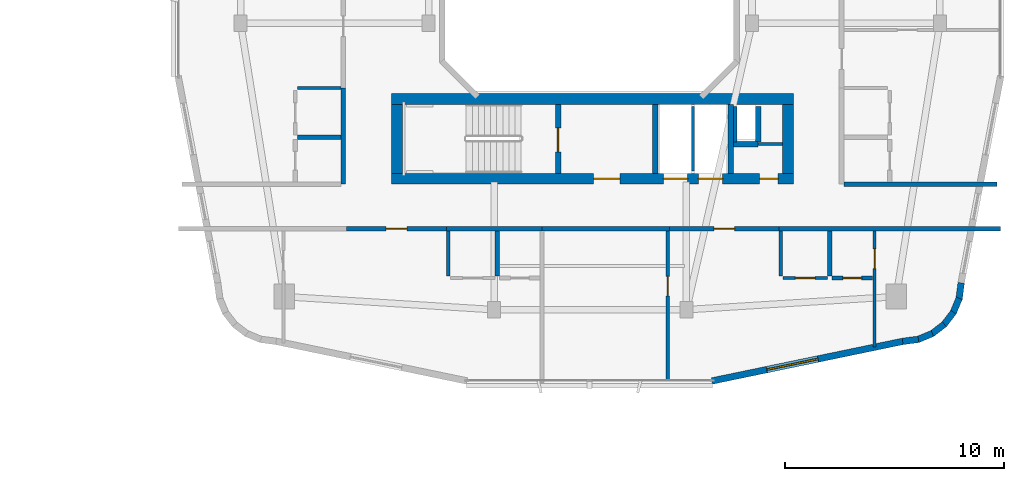
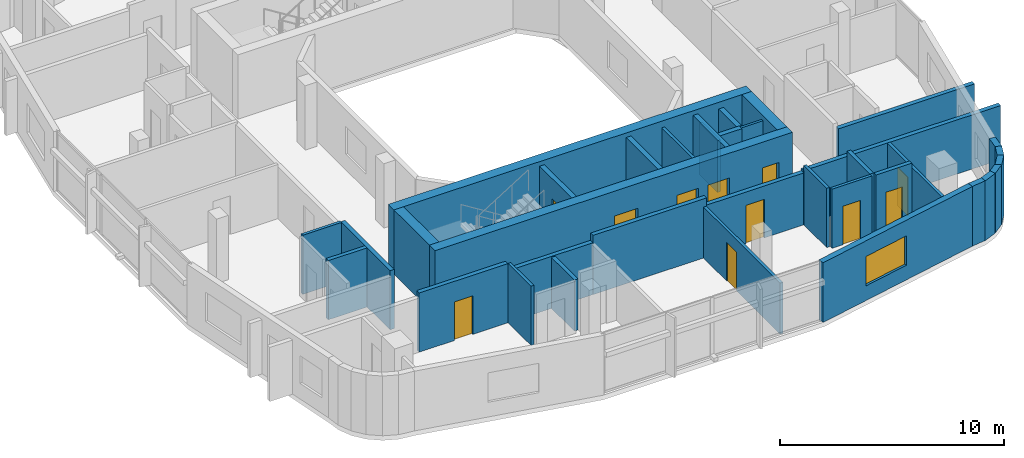
# One storey, part 18 of 27: 36 walls, 11 doors, 1 window, 12 openings.
"""IFC4 building model written with IfcOpenShell, lengths in metres."""

import ifcopenshell
import ifcopenshell.guid

model = None  # the IFC model being written
_history = None  # IfcOwnerHistory: only IFC2X3 demands one
_inside = {}  # id of a spatial element -> (the spatial element, [elements in it])
_under = {}  # id of a project, library or spatial element -> (it, [spatial elements below it])
_declared = {}  # id of a project -> (the project, [libraries it declares])
_typed = {}  # id of a type object -> (the type object, [elements of that type])
_made_of = {}  # id of a material, layer set ... -> (it, [elements and type objects made of it])


def new_model(schema):
    """Start an empty IFC model of exactly this schema.

    Asked for "IFC4X3", IfcOpenShell would pick the latest addendum, in which some entities
    have other attributes; the version numbers below select the first issue.
    IFC2X3 requires an IfcOwnerHistory on every rooted entity: one is made here for all.
    """
    global model, _history
    if schema == "IFC4X3":
        model = ifcopenshell.file(schema_version=(4, 3, 0, 0))
    else:
        model = ifcopenshell.file(schema=schema)
    _inside.clear()
    _under.clear()
    _declared.clear()
    _typed.clear()
    _made_of.clear()
    _history = None
    if model.schema == "IFC2X3":
        org = make("IfcOrganization", Name="unknown")
        user = make(
            "IfcPersonAndOrganization",
            ThePerson=make("IfcPerson", FamilyName="unknown"),
            TheOrganization=org,
        )
        app = make(
            "IfcApplication",
            ApplicationDeveloper=org,
            Version="unknown",
            ApplicationFullName="unknown",
            ApplicationIdentifier="unknown",
        )
        _history = make(
            "IfcOwnerHistory",
            OwningUser=user,
            OwningApplication=app,
            ChangeAction="ADDED",
            CreationDate=0,
        )
    return model


def make(cls, **values):
    """One entity of the class cls with the attributes given. An attribute that is None is left unset."""
    return model.create_entity(
        cls, **{name: value for name, value in values.items() if value is not None}
    )


def rooted(cls, **values):
    """An entity with a GlobalId (a new one), such as an element, a storey or a relation."""
    return make(cls, GlobalId=ifcopenshell.guid.new(), OwnerHistory=_history, **values)


def si_unit(unit_type, name, prefix=None):
    """IfcSIUnit, for example si_unit("LENGTHUNIT", "METRE", prefix="MILLI")."""
    return make("IfcSIUnit", UnitType=unit_type, Prefix=prefix, Name=name)


def derived_unit(unit_type, elements):
    """IfcDerivedUnit: a product of units, each with its exponent."""
    return make(
        "IfcDerivedUnit",
        Elements=[
            make("IfcDerivedUnitElement", Unit=unit, Exponent=power)
            for unit, power in elements
        ],
        UnitType=unit_type,
    )


def assignment(units):
    """IfcUnitAssignment: the units of a project."""
    return None if units is None else make("IfcUnitAssignment", Units=units)


def point(xyz):
    """IfcCartesianPoint."""
    return None if xyz is None else make("IfcCartesianPoint", Coordinates=xyz)


def direction(xyz):
    """IfcDirection."""
    return None if xyz is None else make("IfcDirection", DirectionRatios=xyz)


def frame(location, z_axis=None, x_axis=None):
    """IfcAxis2Placement3D, a coordinate frame: its origin and axes. An axis left out is left unset."""
    return make(
        "IfcAxis2Placement3D",
        Location=point(location),
        Axis=direction(z_axis),
        RefDirection=direction(x_axis),
    )


def frame_2d(location, x_axis=None):
    """IfcAxis2Placement2D, a coordinate frame in the plane: its origin and x axis."""
    return make(
        "IfcAxis2Placement2D", Location=point(location), RefDirection=direction(x_axis)
    )


def origin():
    """The frame at (0, 0, 0) with its axes left unset."""
    return frame((0.0, 0.0, 0.0))


def place(relative_to, where):
    """IfcLocalPlacement: puts the frame where relative to a parent placement (None: the world)."""
    return make(
        "IfcLocalPlacement", PlacementRelTo=relative_to, RelativePlacement=where
    )


def context(
    kind, dimensions, precision=None, world=None, true_north=None, identifier=None
):
    """IfcGeometricRepresentationContext, for example the 3D "Model" context."""
    return make(
        "IfcGeometricRepresentationContext",
        ContextIdentifier=identifier,
        ContextType=kind,
        CoordinateSpaceDimension=dimensions,
        Precision=precision,
        WorldCoordinateSystem=world,
        TrueNorth=true_north,
    )


def subcontext(parent, identifier, kind, view, scale=None):
    """IfcGeometricRepresentationSubContext, for example "Body" below "Model"."""
    return make(
        "IfcGeometricRepresentationSubContext",
        ContextIdentifier=identifier,
        ContextType=kind,
        ParentContext=parent,
        TargetScale=scale,
        TargetView=view,
    )


def project(units=None, contexts=None):
    """IfcProject with its units and contexts."""
    return rooted(
        "IfcProject",
        Name="project",
        RepresentationContexts=contexts,
        UnitsInContext=assignment(units),
    )


def spatial(cls, under=None, at=None, **own):
    """A site, building, storey or space (cls), placed at a placement, below another one or the project."""
    s = rooted(cls, ObjectPlacement=at, **own)
    if under is not None:
        _under.setdefault(under.id(), (under, []))[1].append(s)
    return s


def profile(cls, at=None, kind="AREA", **sizes):
    """A parametric profile (cls). Its sizes go by their IFC names, for example OverallWidth=200.0."""
    return make(cls, ProfileType=kind, Position=at, **sizes)


def rectangle(**sizes):
    """IfcRectangleProfileDef."""
    return profile("IfcRectangleProfileDef", **sizes)


def extrude(swept, where, along, depth):
    """IfcExtrudedAreaSolid: the profile swept, set in the frame where, extruded along a direction by depth."""
    return make(
        "IfcExtrudedAreaSolid",
        SweptArea=swept,
        Position=where,
        ExtrudedDirection=direction(along),
        Depth=depth,
    )


def shape(context_of_items, identifier, shape_type, items):
    """IfcShapeRepresentation: the items that make up one representation, for example the "Body"."""
    return make(
        "IfcShapeRepresentation",
        ContextOfItems=context_of_items,
        RepresentationIdentifier=identifier,
        RepresentationType=shape_type,
        Items=items,
    )


def material(Name=None, Category=None):
    """IfcMaterial."""
    return make("IfcMaterial", Name=Name, Category=Category)


def layer(
    of_material, thickness, ventilated=None, Name=None, Category=None, Priority=None
):
    """IfcMaterialLayer: one layer of a wall or slab, of a material (None: an air gap)."""
    return make(
        "IfcMaterialLayer",
        Material=of_material,
        LayerThickness=thickness,
        IsVentilated=ventilated,
        Name=Name,
        Category=Category,
        Priority=Priority,
    )


def layer_set(layers, Name=None):
    """IfcMaterialLayerSet."""
    return make("IfcMaterialLayerSet", MaterialLayers=layers, LayerSetName=Name)


def made_of(thing, what):
    """Note that an element or type object is made of a material, layer set ...; save() writes the relation."""
    if what is not None:
        _made_of.setdefault(what.id(), (what, []))[1].append(thing)
    return thing


def type_object(cls, material=None, **own):
    """A type object (cls), such as IfcWallType, which elements share."""
    return made_of(rooted(cls, **own), material)


def element(
    cls,
    number,
    at=None,
    inside=None,
    cuts=None,
    type_object=None,
    material=None,
    context=None,
    identifier="Body",
    shape_type=None,
    held_by="IfcProductDefinitionShape",
    body=None,
    shapes=None,
    **own,
):
    """One element of the class cls, such as IfcWall. Its Tag is "e" and its number.

    at: its placement. inside: the storey or other place that contains it. cuts: it is an
    opening in that element (IfcRelVoidsElement). A single representation is given by context,
    identifier, shape_type and body (its items); several are given by shapes. held_by: the class
    of the entity that holds the representations. save() writes the other relations.
    """
    e = rooted(cls, Tag="e%d" % number, ObjectPlacement=at, **own)
    if body is not None:
        shapes = [shape(context, identifier, shape_type, body)]
    if shapes is not None:
        e.Representation = make(held_by, Representations=shapes)
    if inside is not None:
        _inside.setdefault(inside.id(), (inside, []))[1].append(e)
    if cuts is not None:
        rooted(
            "IfcRelVoidsElement", RelatingBuildingElement=cuts, RelatedOpeningElement=e
        )
    if type_object is not None:
        _typed.setdefault(type_object.id(), (type_object, []))[1].append(e)
    return made_of(e, material)


def fill(opening, filler):
    """IfcRelFillsElement: the door or window that sits in an opening."""
    return rooted(
        "IfcRelFillsElement",
        RelatingOpeningElement=opening,
        RelatedBuildingElement=filler,
    )


def aggregate(whole, parts):
    """IfcRelAggregates: a whole, such as a stair, and the parts it consists of."""
    return rooted("IfcRelAggregates", RelatingObject=whole, RelatedObjects=parts)


def save(model, path):
    """Write the relations noted so far, then the file.

    IfcRelAggregates (storeys below a building ...), IfcRelContainedInSpatialStructure (elements
    in a storey), IfcRelDefinesByType, IfcRelAssociatesMaterial and IfcRelDeclares: one each for
    every whole, place, type object, material and project.
    """
    for whole, parts in _under.values():
        aggregate(whole, parts)
    for where, things in _inside.values():
        rooted(
            "IfcRelContainedInSpatialStructure",
            RelatedElements=things,
            RelatingStructure=where,
        )
    for kind, things in _typed.values():
        rooted("IfcRelDefinesByType", RelatedObjects=things, RelatingType=kind)
    for what, things in _made_of.values():
        rooted("IfcRelAssociatesMaterial", RelatedObjects=things, RelatingMaterial=what)
    for by, libraries in _declared.values():
        rooted("IfcRelDeclares", RelatingContext=by, RelatedDefinitions=libraries)
    model.write(path)


model = new_model("IFC4")

# Units and contexts
model_context = context("Model", 3, precision=1e-05, world=origin(), true_north=direction((0.0, 1.0)))
body_context = subcontext(model_context, "Body", "Model", "MODEL_VIEW")
ifc_project = project(units=[si_unit("LENGTHUNIT", "METRE"), si_unit("AREAUNIT", "SQUARE_METRE"), si_unit("VOLUMEUNIT", "CUBIC_METRE"), si_unit("PLANEANGLEUNIT", "RADIAN"), si_unit("MASSUNIT", "GRAM", prefix="KILO"), derived_unit("THERMALTRANSMITTANCEUNIT", [(si_unit("POWERUNIT", "WATT"), 1), (si_unit("LENGTHUNIT", "METRE"), -2), (si_unit("THERMODYNAMICTEMPERATUREUNIT", "KELVIN"), -1)])], contexts=[model_context])

# Site, building, storey
site_placement = place(None, origin())
site = spatial("IfcSite", under=ifc_project, at=site_placement, CompositionType="ELEMENT")
building_placement = place(site_placement, origin())
building = spatial("IfcBuilding", under=site, at=building_placement, Name="Kivonza Crest Hotel", CompositionType="ELEMENT")
storey_placement = place(building_placement, frame((0.0, 0.0, 76.5)))
storey = spatial("IfcBuildingStorey", under=building, at=storey_placement, Name="L20", CompositionType="ELEMENT", Elevation=76.5)

# Wall
ifc_material_1 = material(Name="Autoclaved aerated concrete blockwork", Category="masonry")
ifc_layer_1 = layer(ifc_material_1, 0.219970703125)
ifc_layer_set_1 = layer_set([ifc_layer_1], Name="Autoclaved aerated concrete blockwork")
wall_type_1 = type_object("IfcWallType", Name="WL-ACOU-220", PredefinedType="SOLIDWALL", material=ifc_layer_set_1)
wall_1_placement = place(storey_placement, frame((70.419921875, 12.10009765625, 0.0), z_axis=(0.0, 0.0, 1.0), x_axis=(1.0, 0.0, 0.0)))
element("IfcWall", 1, at=wall_1_placement, inside=storey, type_object=wall_type_1, Name="L20 interior partition WA-L20-A04-RCORR", PredefinedType="SOLIDWALL", context=body_context, shape_type="SweptSolid", body=[
    extrude(rectangle(XDim=4.380126953125, YDim=0.219970703125, at=frame_2d((2.18994140625, 0.0))), origin(), (0.0, 0.0, 1.0), 2.824951171875),
])

# Wall, opening, door
wall_2_placement = place(storey_placement, frame((65.85009765625, 12.10009765625, 0.0), z_axis=(0.0, 0.0, 1.0), x_axis=(1.0, 0.0, 0.0)))
wall_2 = element("IfcWall", 2, at=wall_2_placement, inside=storey, type_object=wall_type_1, Name="L20 interior partition WA-L20-A04-MCORR", PredefinedType="SOLIDWALL", context=body_context, shape_type="SweptSolid", body=[
    extrude(rectangle(XDim=4.56982421875, YDim=0.219970703125, at=frame_2d((2.284912109375, 0.0))), origin(), (0.0, 0.0, 1.0), 3.219970703125),
])
opening_1_placement = place(wall_2_placement, frame((1.81005859375, 0.0, 0.0)))
opening_1 = element("IfcOpeningElement", 3, at=opening_1_placement, cuts=wall_2, Name="Opening DU-60", PredefinedType="OPENING", context=body_context, shape_type="SweptSolid", body=[
    extrude(rectangle(XDim=0.949951171875, YDim=2.10009765625, at=frame_2d((0.47509765625, 1.050048828125))), frame((0.0, 0.1201171875, 0.0), z_axis=(0.0, -1.0, 0.0), x_axis=(1.0, 0.0, 0.0)), (0.0, 0.0, 1.0), 0.239990234375),
])
ifc_material_2 = material(Name="Hardwood timber oak", Category="wood")
door_type_1 = type_object("IfcDoorType", Name="DR-UNIT-950", OperationType="NOTDEFINED", PredefinedType="DOOR", material=ifc_material_2)
door_1_placement = place(opening_1_placement, frame((0.949951171875, 0.0, 0.0), z_axis=(0.0, 0.0, 1.0), x_axis=(-1.0, 0.0, 0.0)))
door_1 = element("IfcDoor", 4, at=door_1_placement, inside=storey, type_object=door_type_1, Name="L20 A04 apartment entrance fire door", OperationType="SINGLE_SWING_RIGHT", OverallHeight=2.10009765625, OverallWidth=0.949951171875, PredefinedType="DOOR", context=body_context, shape_type="SweptSolid", body=[
    extrude(rectangle(XDim=0.949951171875, YDim=2.10009765625, at=frame_2d((0.47509765625, 1.050048828125))), frame((0.0, 0.02490234375, 0.0), z_axis=(0.0, -1.0, 0.0), x_axis=(1.0, 0.0, 0.0)), (0.0, 0.0, 1.0), 0.050048828125),
])
fill(opening_1, door_1)

# Walls
wall_3_placement = place(storey_placement, frame((74.800048828125, 12.10009765625, 0.0), z_axis=(0.0, 0.0, 1.0), x_axis=(1.0, 0.0, 0.0)))
element("IfcWall", 5, at=wall_3_placement, inside=storey, type_object=wall_type_1, Name="L20 interior partition WA-L20-A05-LCORR", PredefinedType="SOLIDWALL", context=body_context, shape_type="SweptSolid", body=[
    extrude(rectangle(XDim=5.829833984375, YDim=0.219970703125, at=frame_2d((2.9150390625, 0.0))), origin(), (0.0, 0.0, 1.0), 3.219970703125),
])
wall_4_placement = place(storey_placement, frame((85.6298828125, 12.10009765625, 0.0), z_axis=(0.0, 0.0, 1.0), x_axis=(1.0, 0.0, 0.0)))
element("IfcWall", 6, at=wall_4_placement, inside=storey, type_object=wall_type_1, Name="L20 interior partition WA-L20-A05-RCORR", PredefinedType="SOLIDWALL", context=body_context, shape_type="SweptSolid", body=[
    extrude(rectangle(XDim=10.130126953125, YDim=0.219970703125, at=frame_2d((5.06494140625, 0.0))), origin(), (0.0, 0.0, 1.0), 2.945068359375),
])

# Wall, opening, door
wall_5_placement = place(storey_placement, frame((80.6298828125, 12.10009765625, 0.0), z_axis=(0.0, 0.0, 1.0), x_axis=(1.0, 0.0, 0.0)))
wall_5 = element("IfcWall", 7, at=wall_5_placement, inside=storey, type_object=wall_type_1, Name="L20 interior partition WA-L20-A05-MCORR", PredefinedType="SOLIDWALL", context=body_context, shape_type="SweptSolid", body=[
    extrude(rectangle(XDim=5.0, YDim=0.219970703125, at=frame_2d((2.5, 0.0))), origin(), (0.0, 0.0, 1.0), 2.824951171875),
])
opening_2_placement = place(wall_5_placement, frame((2.02490234375, 0.0, 0.0)))
opening_2 = element("IfcOpeningElement", 8, at=opening_2_placement, cuts=wall_5, Name="Opening DU-60", PredefinedType="OPENING", context=body_context, shape_type="SweptSolid", body=[
    extrude(rectangle(XDim=0.949951171875, YDim=2.10009765625, at=frame_2d((0.47509765625, 1.050048828125))), frame((0.0, 0.1201171875, 0.0), z_axis=(0.0, -1.0, 0.0), x_axis=(1.0, 0.0, 0.0)), (0.0, 0.0, 1.0), 0.239990234375),
])
door_2_placement = place(opening_2_placement, frame((0.949951171875, 0.0, 0.0), z_axis=(0.0, 0.0, 1.0), x_axis=(-1.0, 0.0, 0.0)))
door_2 = element("IfcDoor", 9, at=door_2_placement, inside=storey, type_object=door_type_1, Name="L20 A05 apartment entrance fire door", OperationType="SINGLE_SWING_LEFT", OverallHeight=2.10009765625, OverallWidth=0.949951171875, PredefinedType="DOOR", context=body_context, shape_type="SweptSolid", body=[
    extrude(rectangle(XDim=0.949951171875, YDim=2.10009765625, at=frame_2d((0.47509765625, 1.050048828125))), frame((0.0, 0.02490234375, 0.0), z_axis=(0.0, -1.0, 0.0), x_axis=(1.0, 0.0, 0.0)), (0.0, 0.0, 1.0), 0.050048828125),
])
fill(opening_2, door_2)

# Walls
wall_6_placement = place(storey_placement, frame((65.699951171875, 14.139892578125, 0.0), z_axis=(0.0, 0.0, 1.0), x_axis=(0.0, 1.0, 0.0)))
element("IfcWall", 10, at=wall_6_placement, inside=storey, type_object=wall_type_1, Name="L20 interior partition WA-L20-A06-BCORR", PredefinedType="SOLIDWALL", context=body_context, shape_type="SweptSolid", body=[
    extrude(rectangle(XDim=4.400146484375, YDim=0.219970703125, at=frame_2d((2.2001953125, 0.0))), origin(), (0.0, 0.0, 1.0), 3.219970703125),
])
wall_7_placement = place(storey_placement, frame((88.60009765625, 14.139892578125, 0.0), z_axis=(0.0, 0.0, 1.0), x_axis=(1.0, 0.0, 0.0)))
element("IfcWall", 11, at=wall_7_placement, inside=storey, type_object=wall_type_1, Name="L20 interior partition WA-L20-T2E-ENDS", PredefinedType="SOLIDWALL", context=body_context, shape_type="SweptSolid", body=[
    extrude(rectangle(XDim=7.0, YDim=0.219970703125, at=frame_2d((3.5, 0.0))), origin(), (0.0, 0.0, 1.0), 2.945068359375),
])

# Wall, openings, doors
ifc_material_3 = material(Name="Concrete C60/75", Category="concrete")
ifc_layer_2 = layer(ifc_material_3, 0.5)
ifc_layer_set_2 = layer_set([ifc_layer_2], Name="Concrete C60/75")
wall_type_2 = type_object("IfcWallType", Name="WL-CORE-500", PredefinedType="SHEAR", material=ifc_layer_set_2)
wall_8_placement = place(storey_placement, frame((67.89990234375, 14.389892578125, 0.0), z_axis=(0.0, 0.0, 1.0), x_axis=(1.0, 0.0, 0.0)))
wall_8 = element("IfcWall", 12, at=wall_8_placement, inside=storey, type_object=wall_type_2, Name="Core wall T2-S South L20", PredefinedType="SHEAR", context=body_context, shape_type="SweptSolid", body=[
    extrude(rectangle(XDim=18.400146484375, YDim=0.5, at=frame_2d((9.2001953125, 0.0))), origin(), (0.0, 0.0, 1.0), 3.5),
])
opening_3_placement = place(wall_8_placement, frame((9.25, 0.0, 0.0)))
opening_3 = element("IfcOpeningElement", 13, at=opening_3_placement, cuts=wall_8, Name="Opening DF-60", PredefinedType="OPENING", context=body_context, shape_type="SweptSolid", body=[
    extrude(rectangle(XDim=1.199951171875, YDim=2.14990234375, at=frame_2d((0.60009765625, 1.074951171875))), frame((0.0, 0.260009765625, 0.0), z_axis=(0.0, -1.0, 0.0), x_axis=(1.0, 0.0, 0.0)), (0.0, 0.0, 1.0), 0.52001953125),
])
opening_4_placement = place(wall_8_placement, frame((16.85009765625, 0.0, 0.0)))
opening_4 = element("IfcOpeningElement", 14, at=opening_4_placement, cuts=wall_8, Name="Opening DF-60R", PredefinedType="OPENING", context=body_context, shape_type="SweptSolid", body=[
    extrude(rectangle(XDim=0.85009765625, YDim=2.10009765625, at=frame_2d((0.425048828125, 1.050048828125))), frame((0.0, 0.260009765625, 0.0), z_axis=(0.0, -1.0, 0.0), x_axis=(1.0, 0.0, 0.0)), (0.0, 0.0, 1.0), 0.52001953125),
])
opening_5_placement = place(wall_8_placement, frame((12.449951171875, 0.0, 0.0)))
opening_5 = element("IfcOpeningElement", 15, at=opening_5_placement, cuts=wall_8, Name="Opening LD-120", PredefinedType="OPENING", context=body_context, shape_type="SweptSolid", body=[
    extrude(rectangle(XDim=1.10009765625, YDim=2.14990234375, at=frame_2d((0.550048828125, 1.074951171875))), frame((0.0, 0.260009765625, 0.0), z_axis=(0.0, -1.0, 0.0), x_axis=(1.0, 0.0, 0.0)), (0.0, 0.0, 1.0), 0.52001953125),
])
opening_6_placement = place(wall_8_placement, frame((14.050048828125, 0.0, 0.0)))
opening_6 = element("IfcOpeningElement", 16, at=opening_6_placement, cuts=wall_8, Name="Opening LD-120", PredefinedType="OPENING", context=body_context, shape_type="SweptSolid", body=[
    extrude(rectangle(XDim=1.10009765625, YDim=2.14990234375, at=frame_2d((0.550048828125, 1.074951171875))), frame((0.0, 0.260009765625, 0.0), z_axis=(0.0, -1.0, 0.0), x_axis=(1.0, 0.0, 0.0)), (0.0, 0.0, 1.0), 0.52001953125),
])
door_type_2 = type_object("IfcDoorType", Name="DR-FD60-1200", OperationType="NOTDEFINED", PredefinedType="DOOR", material=ifc_material_2)
door_3_placement = place(opening_3_placement, frame((1.199951171875, 0.0, 0.0), z_axis=(0.0, 0.0, 1.0), x_axis=(-1.0, 0.0, 0.0)))
door_3 = element("IfcDoor", 17, at=door_3_placement, inside=storey, type_object=door_type_2, Name="L20 T2-S firefighting lobby fire door", OperationType="SINGLE_SWING_LEFT", OverallHeight=2.14990234375, OverallWidth=1.199951171875, PredefinedType="DOOR", context=body_context, shape_type="SweptSolid", body=[
    extrude(rectangle(XDim=1.199951171875, YDim=2.14990234375, at=frame_2d((0.60009765625, 1.074951171875))), frame((0.0, 0.02490234375, 0.0), z_axis=(0.0, -1.0, 0.0), x_axis=(1.0, 0.0, 0.0)), (0.0, 0.0, 1.0), 0.050048828125),
])
fill(opening_3, door_3)
door_type_3 = type_object("IfcDoorType", Name="DR-FD60-850", OperationType="NOTDEFINED", PredefinedType="DOOR", material=ifc_material_2)
door_4_placement = place(opening_4_placement, frame((0.85009765625, 0.0, 0.0), z_axis=(0.0, 0.0, 1.0), x_axis=(-1.0, 0.0, 0.0)))
door_4 = element("IfcDoor", 18, at=door_4_placement, inside=storey, type_object=door_type_3, Name="L20 T2-S core room door", OperationType="SINGLE_SWING_RIGHT", OverallHeight=2.10009765625, OverallWidth=0.85009765625, PredefinedType="DOOR", context=body_context, shape_type="SweptSolid", body=[
    extrude(rectangle(XDim=0.85009765625, YDim=2.10009765625, at=frame_2d((0.425048828125, 1.050048828125))), frame((0.0, 0.02490234375, 0.0), z_axis=(0.0, -1.0, 0.0), x_axis=(1.0, 0.0, 0.0)), (0.0, 0.0, 1.0), 0.050048828125),
])
fill(opening_4, door_4)
ifc_material_4 = material(Name="Stainless steel", Category="steel")
door_type_4 = type_object("IfcDoorType", Name="DR-LD120-1100", OperationType="NOTDEFINED", PredefinedType="DOOR", material=ifc_material_4)
door_5_placement = place(opening_5_placement, frame((1.10009765625, 0.0, 0.0), z_axis=(0.0, 0.0, 1.0), x_axis=(-1.0, 0.0, 0.0)))
door_5 = element("IfcDoor", 19, at=door_5_placement, inside=storey, type_object=door_type_4, Name="L20 PL-T2-1 passenger lift sliding landing door", OperationType="DOUBLE_DOOR_SLIDING", OverallHeight=2.14990234375, OverallWidth=1.10009765625, PredefinedType="DOOR", context=body_context, shape_type="SweptSolid", body=[
    extrude(rectangle(XDim=1.10009765625, YDim=2.14990234375, at=frame_2d((0.550048828125, 1.074951171875))), frame((0.0, 0.02490234375, 0.0), z_axis=(0.0, -1.0, 0.0), x_axis=(1.0, 0.0, 0.0)), (0.0, 0.0, 1.0), 0.050048828125),
])
fill(opening_5, door_5)
door_6_placement = place(opening_6_placement, frame((1.10009765625, 0.0, 0.0), z_axis=(0.0, 0.0, 1.0), x_axis=(-1.0, 0.0, 0.0)))
door_6 = element("IfcDoor", 20, at=door_6_placement, inside=storey, type_object=door_type_4, Name="L20 PL-T2-2 passenger lift sliding landing door", OperationType="DOUBLE_DOOR_SLIDING", OverallHeight=2.14990234375, OverallWidth=1.10009765625, PredefinedType="DOOR", context=body_context, shape_type="SweptSolid", body=[
    extrude(rectangle(XDim=1.10009765625, YDim=2.14990234375, at=frame_2d((0.550048828125, 1.074951171875))), frame((0.0, 0.02490234375, 0.0), z_axis=(0.0, -1.0, 0.0), x_axis=(1.0, 0.0, 0.0)), (0.0, 0.0, 1.0), 0.050048828125),
])
fill(opening_6, door_6)

# Walls
wall_9_placement = place(storey_placement, frame((67.89990234375, 18.050048828125, 0.0), z_axis=(0.0, 0.0, 1.0), x_axis=(1.0, 0.0, 0.0)))
element("IfcWall", 21, at=wall_9_placement, inside=storey, type_object=wall_type_2, Name="Core wall T2-S North L20", PredefinedType="SHEAR", context=body_context, shape_type="SweptSolid", body=[
    extrude(rectangle(XDim=18.400146484375, YDim=0.5, at=frame_2d((9.2001953125, 0.0))), origin(), (0.0, 0.0, 1.0), 3.5),
])
for number, where, z_axis, x_axis, name in (
    (22, (68.14990234375, 14.639892578125, 0.0), (0.0, 0.0, 1.0), (0.0, 1.0, 0.0), "Core wall T2-S West L20"),
    (23, (86.050048828125, 14.639892578125, 0.0), (0.0, 0.0, 1.0), (0.0, 1.0, 0.0), "Core wall T2-S East L20"),
):
    element("IfcWall", number, at=place(storey_placement, frame(where, z_axis=z_axis, x_axis=x_axis)), inside=storey, type_object=wall_type_2, Name=name, PredefinedType="SHEAR", context=body_context, shape_type="SweptSolid", body=[
        extrude(rectangle(XDim=3.16015625, YDim=0.5, at=frame_2d((1.580078125, 0.0))), origin(), (0.0, 0.0, 1.0), 3.5),
    ])

# Wall, opening, window
ifc_material_5 = material(Name="Precast concrete C40/50", Category="concrete")
ifc_layer_3 = layer(ifc_material_5, 0.300048828125)
ifc_layer_set_3 = layer_set([ifc_layer_3], Name="Precast concrete C40/50")
wall_type_3 = type_object("IfcWallType", Name="WL-EXT-300", PredefinedType="STANDARD", material=ifc_layer_set_3)
wall_10_placement = place(storey_placement, frame((82.56396484375, 5.135986328125, 0.0), z_axis=(0.0, 0.0, 1.0), x_axis=(0.979128391325, 0.203242695569, 0.0)))
wall_10 = element("IfcWall", 24, at=wall_10_placement, inside=storey, type_object=wall_type_3, Name="L20 T2 exterior insulated wall 9", PredefinedType="STANDARD", context=body_context, shape_type="SweptSolid", body=[
    extrude(rectangle(XDim=8.92041015625, YDim=0.300048828125, at=frame_2d((4.460205078125, 0.0))), origin(), (0.0, 0.0, 1.0), 3.25),
])
opening_7_placement = place(wall_10_placement, frame((2.56298828125, 0.0, 0.800048828125)))
opening_7 = element("IfcOpeningElement", 25, at=opening_7_placement, cuts=wall_10, Name="Opening WN-05", PredefinedType="OPENING", context=body_context, shape_type="SweptSolid", body=[
    extrude(rectangle(XDim=2.39990234375, YDim=1.60009765625, at=frame_2d((1.199951171875, 0.800048828125))), frame((0.0, 0.16015625, 0.0), z_axis=(0.0, -1.0, 0.0), x_axis=(1.0, 0.0, 0.0)), (0.0, 0.0, 1.0), 0.320068359375),
])
ifc_material_6 = material(Name="Thermally broken bronze aluminium and low-E double glazing", Category="aluminium")
window_type = type_object("IfcWindowType", Name="WN-240x160", PartitioningType="TRIPLE_PANEL_VERTICAL", PredefinedType="WINDOW", material=ifc_material_6)
window_placement = place(opening_7_placement, origin())
window = element("IfcWindow", 26, at=window_placement, inside=storey, type_object=window_type, Name="L20 T2 facade window 9", OverallHeight=1.60009765625, OverallWidth=2.39990234375, PartitioningType="SINGLE_PANEL", PredefinedType="WINDOW", context=body_context, shape_type="SweptSolid", body=[
    extrude(rectangle(XDim=2.39990234375, YDim=1.60009765625, at=frame_2d((1.199951171875, 0.800048828125))), frame((0.0, 0.030029296875, 0.0), z_axis=(0.0, -1.0, 0.0), x_axis=(1.0, 0.0, 0.0)), (0.0, 0.0, 1.0), 0.06005859375),
])
fill(opening_7, window)

# Walls
wall_11_placement = place(storey_placement, frame((91.29296875, 6.947998046875, 0.0), z_axis=(0.0, 0.0, 1.0), x_axis=(0.991486167159, 0.13021205909, 0.0)))
element("IfcWall", 27, at=wall_11_placement, inside=storey, type_object=wall_type_3, Name="L20 T2 exterior insulated wall 10", PredefinedType="STANDARD", context=body_context, shape_type="SweptSolid", body=[
    extrude(rectangle(XDim=0.729248046875, YDim=0.300048828125, at=frame_2d((0.36474609375, 0.0))), origin(), (0.0, 0.0, 1.0), 3.25),
])
for number, where, z_axis, x_axis, name in (
    (28, (91.965087890625, 7.02392578125, 0.0), (0.0, 0.0, 1.0), (0.923521684703, 0.383546213491, 0.0), "L20 T2 exterior insulated wall 11"),
    (29, (92.60888671875, 7.279052734375, 0.0), (0.0, 0.0, 1.0), (0.79363269798, 0.608397189915, 0.0), "L20 T2 exterior insulated wall 12"),
    (30, (93.166015625, 7.69091796875, 0.0), (0.0, 0.0, 1.0), (0.608603261071, 0.793474681772, 0.0), "L20 T2 exterior insulated wall 13"),
):
    element("IfcWall", number, at=place(storey_placement, frame(where, z_axis=z_axis, x_axis=x_axis)), inside=storey, type_object=wall_type_3, Name=name, PredefinedType="STANDARD", context=body_context, shape_type="SweptSolid", body=[
        extrude(rectangle(XDim=0.74609375, YDim=0.300048828125, at=frame_2d((0.373046875, 0.0))), origin(), (0.0, 0.0, 1.0), 3.25),
    ])
wall_12_placement = place(storey_placement, frame((93.595947265625, 8.23388671875, 0.0), z_axis=(0.0, 0.0, 1.0), x_axis=(0.383430326427, 0.923569805037, 0.0)))
element("IfcWall", 31, at=wall_12_placement, inside=storey, type_object=wall_type_3, Name="L20 T2 exterior insulated wall 14", PredefinedType="STANDARD", context=body_context, shape_type="SweptSolid", body=[
    extrude(rectangle(XDim=0.746337890625, YDim=0.300048828125, at=frame_2d((0.373046875, 0.0))), origin(), (0.0, 0.0, 1.0), 3.25),
])
wall_13_placement = place(storey_placement, frame((93.873046875, 8.868896484375, 0.0), z_axis=(0.0, 0.0, 1.0), x_axis=(0.129339184068, 0.991600411186, 0.0)))
element("IfcWall", 32, at=wall_13_placement, inside=storey, type_object=wall_type_3, Name="L20 T2 exterior insulated wall 15", PredefinedType="STANDARD", context=body_context, shape_type="SweptSolid", body=[
    extrude(rectangle(XDim=0.764404296875, YDim=0.300048828125, at=frame_2d((0.38232421875, 0.0))), origin(), (0.0, 0.0, 1.0), 3.25),
])
ifc_material_7 = material(Name="Concrete blockwork fire-compartment wall", Category="masonry")
ifc_layer_4 = layer(ifc_material_7, 0.25)
ifc_layer_set_4 = layer_set([ifc_layer_4], Name="Concrete blockwork fire-compartment wall")
wall_type_4 = type_object("IfcWallType", Name="WL-FIRE-250", PredefinedType="SOLIDWALL", material=ifc_layer_set_4)
wall_14_placement = place(storey_placement, frame((84.679931640625, 16.080078125, 0.0), z_axis=(0.0, 0.0, 1.0), x_axis=(0.0, 1.0, 0.0)))
element("IfcWall", 33, at=wall_14_placement, inside=storey, type_object=wall_type_4, Name="L20 interior partition WA-L20-T2-S-MEPR-E", PredefinedType="SOLIDWALL", context=body_context, shape_type="SweptSolid", body=[
    extrude(rectangle(XDim=1.619873046875, YDim=0.25, at=frame_2d((0.81005859375, 0.0))), origin(), (0.0, 0.0, 1.0), 3.219970703125),
])
wall_15_placement = place(storey_placement, frame((83.550048828125, 15.97998046875, 0.0), z_axis=(0.0, 0.0, 1.0), x_axis=(1.0, 0.0, 0.0)))
element("IfcWall", 34, at=wall_15_placement, inside=storey, type_object=wall_type_4, Name="L20 interior partition WA-L20-T2-S-MEPR-H", PredefinedType="SOLIDWALL", context=body_context, shape_type="SweptSolid", body=[
    extrude(rectangle(XDim=1.1298828125, YDim=0.25, at=frame_2d((0.56494140625, 0.0))), origin(), (0.0, 0.0, 1.0), 3.219970703125),
])
ifc_material_8 = material(Name="Metal-stud gypsum board partition", Category="gypsum")
ifc_layer_5 = layer(ifc_material_8, 0.125)
ifc_layer_set_5 = layer_set([ifc_layer_5], Name="Metal-stud gypsum board partition")
wall_type_5 = type_object("IfcWallType", Name="WL-PART-125", PredefinedType="PARTITIONING", material=ifc_layer_set_5)
wall_16_placement = place(storey_placement, frame((84.679931640625, 15.97998046875, 0.0), z_axis=(0.0, 0.0, 1.0), x_axis=(1.0, 0.0, 0.0)))
element("IfcWall", 35, at=wall_16_placement, inside=storey, type_object=wall_type_5, Name="L20 interior partition WP-L20-T2-S-T2H", PredefinedType="PARTITIONING", context=body_context, shape_type="SweptSolid", body=[
    extrude(rectangle(XDim=1.1201171875, YDim=0.125, at=frame_2d((0.56005859375, 0.0))), origin(), (0.0, 0.0, 1.0), 3.219970703125),
])
ifc_material_9 = material(Name="Twin-stud acoustic gypsum board partition", Category="gypsum")
ifc_layer_6 = layer(ifc_material_9, 0.14990234375)
ifc_layer_set_6 = layer_set([ifc_layer_6], Name="Twin-stud acoustic gypsum board partition")
wall_type_6 = type_object("IfcWallType", Name="WL-PART-150", PredefinedType="PARTITIONING", material=ifc_layer_set_6)
wall_17_placement = place(storey_placement, frame((83.6298828125, 16.080078125, 0.0), z_axis=(0.0, 0.0, 1.0), x_axis=(0.0, 1.0, 0.0)))
element("IfcWall", 36, at=wall_17_placement, inside=storey, type_object=wall_type_6, Name="L20 interior partition WA-L20-T2-S-MEPR-W", PredefinedType="PARTITIONING", context=body_context, shape_type="SweptSolid", body=[
    extrude(rectangle(XDim=1.619873046875, YDim=0.14990234375, at=frame_2d((0.81005859375, 0.0))), origin(), (0.0, 0.0, 1.0), 2.824951171875),
])
wall_18_placement = place(storey_placement, frame((81.699951171875, 14.739990234375, 0.0), z_axis=(0.0, 0.0, 1.0), x_axis=(0.0, 1.0, 0.0)))
element("IfcWall", 37, at=wall_18_placement, inside=storey, type_object=wall_type_6, Name="L20 interior partition WP-L20-T2-S-BSH-1", PredefinedType="PARTITIONING", context=body_context, shape_type="SweptSolid", body=[
    extrude(rectangle(XDim=2.9599609375, YDim=0.14990234375, at=frame_2d((1.47998046875, 0.0))), origin(), (0.0, 0.0, 1.0), 3.219970703125),
])
wall_19_placement = place(storey_placement, frame((70.5, 9.949951171875, 0.0), z_axis=(0.0, 0.0, 1.0), x_axis=(0.0, 1.0, 0.0)))
element("IfcWall", 38, at=wall_19_placement, inside=storey, type_object=wall_type_6, Name="L20 interior partition WP-L20-A04-KF", PredefinedType="PARTITIONING", context=body_context, shape_type="SweptSolid", body=[
    extrude(rectangle(XDim=2.050048828125, YDim=0.14990234375, at=frame_2d((1.02490234375, 0.0))), origin(), (0.0, 0.0, 1.0), 3.219970703125),
])

# Wall, opening, door
wall_20_placement = place(storey_placement, frame((80.550048828125, 5.159912109375, 0.0), z_axis=(0.0, 0.0, 1.0), x_axis=(0.0, 1.0, 0.0)))
wall_20 = element("IfcWall", 39, at=wall_20_placement, inside=storey, type_object=wall_type_6, Name="L20 interior partition WP-L20-A05-BDW1", PredefinedType="PARTITIONING", context=body_context, shape_type="SweptSolid", body=[
    extrude(rectangle(XDim=6.840087890625, YDim=0.14990234375, at=frame_2d((3.419921875, 0.0))), origin(), (0.0, 0.0, 1.0), 2.77490234375),
])
opening_8_placement = place(wall_20_placement, frame((3.8701171875, 0.0, 0.0)))
opening_8 = element("IfcOpeningElement", 40, at=opening_8_placement, cuts=wall_20, Name="Opening DI-90", PredefinedType="OPENING", context=body_context, shape_type="SweptSolid", body=[
    extrude(rectangle(XDim=0.89990234375, YDim=2.10009765625, at=frame_2d((0.449951171875, 1.050048828125))), frame((0.0, 0.0849609375, 0.0), z_axis=(0.0, -1.0, 0.0), x_axis=(1.0, 0.0, 0.0)), (0.0, 0.0, 1.0), 0.169921875),
])
door_type_5 = type_object("IfcDoorType", Name="DR-INT-900", OperationType="NOTDEFINED", PredefinedType="DOOR", material=ifc_material_2)
door_7_placement = place(opening_8_placement, origin())
door_7 = element("IfcDoor", 41, at=door_7_placement, inside=storey, type_object=door_type_5, Name="L20 A05 bedroom 1 door", OperationType="SINGLE_SWING_RIGHT", OverallHeight=2.10009765625, OverallWidth=0.89990234375, PredefinedType="DOOR", context=body_context, shape_type="SweptSolid", body=[
    extrude(rectangle(XDim=0.89990234375, YDim=2.10009765625, at=frame_2d((0.449951171875, 1.050048828125))), frame((0.0, 0.02490234375, 0.0), z_axis=(0.0, -1.0, 0.0), x_axis=(1.0, 0.0, 0.0)), (0.0, 0.0, 1.0), 0.050048828125),
])
fill(opening_8, door_7)

wall_21_placement = place(storey_placement, frame((90.010009765625, 6.68896484375, 0.0), z_axis=(0.0, 0.0, 1.0), x_axis=(0.0, 1.0, 0.0)))
wall_21 = element("IfcWall", 42, at=wall_21_placement, inside=storey, type_object=wall_type_6, Name="L20 interior partition WP-L20-A05-BDW2", PredefinedType="PARTITIONING", context=body_context, shape_type="SweptSolid", body=[
    extrude(rectangle(XDim=5.31103515625, YDim=0.14990234375, at=frame_2d((2.655517578125, 0.0))), origin(), (0.0, 0.0, 1.0), 2.945068359375),
])
opening_9_placement = place(wall_21_placement, frame((3.590087890625, 0.0, 0.0)))
opening_9 = element("IfcOpeningElement", 43, at=opening_9_placement, cuts=wall_21, Name="Opening DI-90", PredefinedType="OPENING", context=body_context, shape_type="SweptSolid", body=[
    extrude(rectangle(XDim=0.89990234375, YDim=2.10009765625, at=frame_2d((0.449951171875, 1.050048828125))), frame((0.0, 0.0849609375, 0.0), z_axis=(0.0, -1.0, 0.0), x_axis=(1.0, 0.0, 0.0)), (0.0, 0.0, 1.0), 0.169921875),
])
door_8_placement = place(opening_9_placement, origin())
door_8 = element("IfcDoor", 44, at=door_8_placement, inside=storey, type_object=door_type_5, Name="L20 A05 bedroom 2 door", OperationType="SINGLE_SWING_LEFT", OverallHeight=2.10009765625, OverallWidth=0.89990234375, PredefinedType="DOOR", context=body_context, shape_type="SweptSolid", body=[
    extrude(rectangle(XDim=0.89990234375, YDim=2.10009765625, at=frame_2d((0.449951171875, 1.050048828125))), frame((0.0, 0.02490234375, 0.0), z_axis=(0.0, -1.0, 0.0), x_axis=(1.0, 0.0, 0.0)), (0.0, 0.0, 1.0), 0.050048828125),
])
fill(opening_9, door_8)

# Wall
wall_22_placement = place(storey_placement, frame((85.7099609375, 9.949951171875, 0.0), z_axis=(0.0, 0.0, 1.0), x_axis=(0.0, 1.0, 0.0)))
element("IfcWall", 45, at=wall_22_placement, inside=storey, type_object=wall_type_6, Name="L20 interior partition WP-L20-A05-KF", PredefinedType="PARTITIONING", context=body_context, shape_type="SweptSolid", body=[
    extrude(rectangle(XDim=2.050048828125, YDim=0.14990234375, at=frame_2d((1.02490234375, 0.0))), origin(), (0.0, 0.0, 1.0), 3.219970703125),
])

# Wall, opening, door
wall_23_placement = place(storey_placement, frame((85.81005859375, 9.85009765625, 0.0), z_axis=(0.0, 0.0, 1.0), x_axis=(1.0, 0.0, 0.0)))
wall_23 = element("IfcWall", 46, at=wall_23_placement, inside=storey, type_object=wall_type_6, Name="L20 interior partition WP-L20-A05-KSVC", PredefinedType="PARTITIONING", context=body_context, shape_type="SweptSolid", body=[
    extrude(rectangle(XDim=2.050048828125, YDim=0.14990234375, at=frame_2d((1.02490234375, 0.0))), origin(), (0.0, 0.0, 1.0), 3.219970703125),
])
opening_10_placement = place(wall_23_placement, frame((0.574951171875, 0.0, 0.0)))
opening_10 = element("IfcOpeningElement", 47, at=opening_10_placement, cuts=wall_23, Name="Opening DI-90", PredefinedType="OPENING", context=body_context, shape_type="SweptSolid", body=[
    extrude(rectangle(XDim=0.89990234375, YDim=2.10009765625, at=frame_2d((0.449951171875, 1.050048828125))), frame((0.0, 0.0849609375, 0.0), z_axis=(0.0, -1.0, 0.0), x_axis=(1.0, 0.0, 0.0)), (0.0, 0.0, 1.0), 0.169921875),
])
door_9_placement = place(opening_10_placement, frame((0.89990234375, 0.0, 0.0), z_axis=(0.0, 0.0, 1.0), x_axis=(-1.0, 0.0, 0.0)))
door_9 = element("IfcDoor", 48, at=door_9_placement, inside=storey, type_object=door_type_5, Name="L20 A05 apartment kitchen door", OperationType="SINGLE_SWING_LEFT", OverallHeight=2.10009765625, OverallWidth=0.89990234375, PredefinedType="DOOR", context=body_context, shape_type="SweptSolid", body=[
    extrude(rectangle(XDim=0.89990234375, YDim=2.10009765625, at=frame_2d((0.449951171875, 1.050048828125))), frame((0.0, 0.02490234375, 0.0), z_axis=(0.0, -1.0, 0.0), x_axis=(1.0, 0.0, 0.0)), (0.0, 0.0, 1.0), 0.050048828125),
])
fill(opening_10, door_9)

# Walls
wall_24_placement = place(storey_placement, frame((63.60009765625, 18.5400390625, 0.0), z_axis=(0.0, 0.0, 1.0), x_axis=(1.0, 0.0, 0.0)))
element("IfcWall", 49, at=wall_24_placement, inside=storey, type_object=wall_type_6, Name="L20 interior partition WP-L20-A06-KF", PredefinedType="PARTITIONING", context=body_context, shape_type="SweptSolid", body=[
    extrude(rectangle(XDim=2.0, YDim=0.14990234375, at=frame_2d((1.0, 0.0))), origin(), (0.0, 0.0, 1.0), 3.219970703125),
])
ifc_material_10 = material(Name="Moisture-resistant plumbing chase partition wall", Category="gypsum")
ifc_layer_7 = layer(ifc_material_10, 0.199951171875)
ifc_layer_set_7 = layer_set([ifc_layer_7], Name="Moisture-resistant plumbing chase partition wall")
wall_type_7 = type_object("IfcWallType", Name="WL-PLUMB-200", PredefinedType="PLUMBINGWALL", material=ifc_layer_set_7)
wall_25_placement = place(storey_placement, frame((72.75, 9.949951171875, 0.0), z_axis=(0.0, 0.0, 1.0), x_axis=(0.0, 1.0, 0.0)))
element("IfcWall", 50, at=wall_25_placement, inside=storey, type_object=wall_type_7, Name="L20 interior partition WW-L20-A04-BK", PredefinedType="PLUMBINGWALL", context=body_context, shape_type="SweptSolid", body=[
    extrude(rectangle(XDim=2.050048828125, YDim=0.199951171875, at=frame_2d((1.02490234375, 0.0))), origin(), (0.0, 0.0, 1.0), 2.77490234375),
])
wall_26_placement = place(storey_placement, frame((87.9599609375, 9.949951171875, 0.0), z_axis=(0.0, 0.0, 1.0), x_axis=(0.0, 1.0, 0.0)))
element("IfcWall", 51, at=wall_26_placement, inside=storey, type_object=wall_type_7, Name="L20 interior partition WW-L20-A05-BK", PredefinedType="PLUMBINGWALL", context=body_context, shape_type="SweptSolid", body=[
    extrude(rectangle(XDim=2.050048828125, YDim=0.199951171875, at=frame_2d((1.02490234375, 0.0))), origin(), (0.0, 0.0, 1.0), 3.219970703125),
])

# Wall, opening, door
wall_27_placement = place(storey_placement, frame((88.06005859375, 9.85009765625, 0.0), z_axis=(0.0, 0.0, 1.0), x_axis=(1.0, 0.0, 0.0)))
wall_27 = element("IfcWall", 52, at=wall_27_placement, inside=storey, type_object=wall_type_7, Name="L20 interior partition WW-L20-A05-BSVC", PredefinedType="PLUMBINGWALL", context=body_context, shape_type="SweptSolid", body=[
    extrude(rectangle(XDim=1.849853515625, YDim=0.199951171875, at=frame_2d((0.9248046875, 0.0))), origin(), (0.0, 0.0, 1.0), 3.219970703125),
])
opening_11_placement = place(wall_27_placement, frame((0.5, 0.0, 0.0)))
opening_11 = element("IfcOpeningElement", 53, at=opening_11_placement, cuts=wall_27, Name="Opening DI-85", PredefinedType="OPENING", context=body_context, shape_type="SweptSolid", body=[
    extrude(rectangle(XDim=0.85009765625, YDim=2.10009765625, at=frame_2d((0.425048828125, 1.050048828125))), frame((0.0, 0.10986328125, 0.0), z_axis=(0.0, -1.0, 0.0), x_axis=(1.0, 0.0, 0.0)), (0.0, 0.0, 1.0), 0.219970703125),
])
door_type_6 = type_object("IfcDoorType", Name="DR-INT-850", OperationType="NOTDEFINED", PredefinedType="DOOR", material=ifc_material_2)
door_10_placement = place(opening_11_placement, frame((0.85009765625, 0.0, 0.0), z_axis=(0.0, 0.0, 1.0), x_axis=(-1.0, 0.0, 0.0)))
door_10 = element("IfcDoor", 54, at=door_10_placement, inside=storey, type_object=door_type_6, Name="L20 A05 apartment bathroom door", OperationType="SINGLE_SWING_RIGHT", OverallHeight=2.10009765625, OverallWidth=0.85009765625, PredefinedType="DOOR", context=body_context, shape_type="SweptSolid", body=[
    extrude(rectangle(XDim=0.85009765625, YDim=2.10009765625, at=frame_2d((0.425048828125, 1.050048828125))), frame((0.0, 0.02490234375, 0.0), z_axis=(0.0, -1.0, 0.0), x_axis=(1.0, 0.0, 0.0)), (0.0, 0.0, 1.0), 0.050048828125),
])
fill(opening_11, door_10)

# Wall
wall_28_placement = place(storey_placement, frame((63.60009765625, 16.2900390625, 0.0), z_axis=(0.0, 0.0, 1.0), x_axis=(1.0, 0.0, 0.0)))
element("IfcWall", 55, at=wall_28_placement, inside=storey, type_object=wall_type_7, Name="L20 interior partition WW-L20-A06-BK", PredefinedType="PLUMBINGWALL", context=body_context, shape_type="SweptSolid", body=[
    extrude(rectangle(XDim=2.0, YDim=0.199951171875, at=frame_2d((1.0, 0.0))), origin(), (0.0, 0.0, 1.0), 3.219970703125),
])

# Wall, opening, door
ifc_material_11 = material(Name="Concrete C50/60", Category="concrete")
ifc_layer_8 = layer(ifc_material_11, 0.25)
ifc_layer_set_8 = layer_set([ifc_layer_8], Name="Concrete C50/60")
wall_type_8 = type_object("IfcWallType", Name="WL-SHAFT-250", PredefinedType="STANDARD", material=ifc_layer_set_8)
wall_29_placement = place(storey_placement, frame((75.52490234375, 14.639892578125, 0.0), z_axis=(0.0, 0.0, 1.0), x_axis=(0.0, 1.0, 0.0)))
wall_29 = element("IfcWall", 56, at=wall_29_placement, inside=storey, type_object=wall_type_8, Name="Core shaft wall T2-S STAIR L20", PredefinedType="STANDARD", context=body_context, shape_type="SweptSolid", body=[
    extrude(rectangle(XDim=3.16015625, YDim=0.25, at=frame_2d((1.580078125, 0.0))), origin(), (0.0, 0.0, 1.0), 3.25),
])
opening_12_placement = place(wall_29_placement, frame((0.97998046875, 0.0, 0.0)))
opening_12 = element("IfcOpeningElement", 57, at=opening_12_placement, cuts=wall_29, Name="Opening DF-120", PredefinedType="OPENING", context=body_context, shape_type="SweptSolid", body=[
    extrude(rectangle(XDim=1.10009765625, YDim=2.14990234375, at=frame_2d((0.550048828125, 1.074951171875))), frame((0.0, 0.135009765625, 0.0), z_axis=(0.0, -1.0, 0.0), x_axis=(1.0, 0.0, 0.0)), (0.0, 0.0, 1.0), 0.27001953125),
])
ifc_material_12 = material(Name="Galvanised steel", Category="steel")
door_type_7 = type_object("IfcDoorType", Name="DR-FD120-1100", OperationType="NOTDEFINED", PredefinedType="DOOR", material=ifc_material_12)
door_11_placement = place(opening_12_placement, frame((1.10009765625, 0.0, 0.0), z_axis=(0.0, 0.0, 1.0), x_axis=(-1.0, 0.0, 0.0)))
door_11 = element("IfcDoor", 58, at=door_11_placement, inside=storey, type_object=door_type_7, Name="L20 T2-S stair fire door", OperationType="SINGLE_SWING_RIGHT", OverallHeight=2.14990234375, OverallWidth=1.10009765625, PredefinedType="DOOR", context=body_context, shape_type="SweptSolid", body=[
    extrude(rectangle(XDim=1.10009765625, YDim=2.14990234375, at=frame_2d((0.550048828125, 1.074951171875))), frame((0.0, 0.02490234375, 0.0), z_axis=(0.0, -1.0, 0.0), x_axis=(1.0, 0.0, 0.0)), (0.0, 0.0, 1.0), 0.050048828125),
])
fill(opening_12, door_11)

# Walls
for number, where, z_axis, x_axis, name in (
    (59, (79.97509765625, 14.639892578125, 0.0), (0.0, 0.0, 1.0), (0.0, 1.0, 0.0), "Core shaft wall T2-S BANK-W L20"),
    (60, (83.425048828125, 14.639892578125, 0.0), (0.0, 0.0, 1.0), (0.0, 1.0, 0.0), "Core shaft wall T2-S BANK-E L20"),
):
    element("IfcWall", number, at=place(storey_placement, frame(where, z_axis=z_axis, x_axis=x_axis)), inside=storey, type_object=wall_type_8, Name=name, PredefinedType="STANDARD", context=body_context, shape_type="SweptSolid", body=[
        extrude(rectangle(XDim=3.16015625, YDim=0.25, at=frame_2d((1.580078125, 0.0))), origin(), (0.0, 0.0, 1.0), 3.25),
    ])

save(model, "model.ifc")
